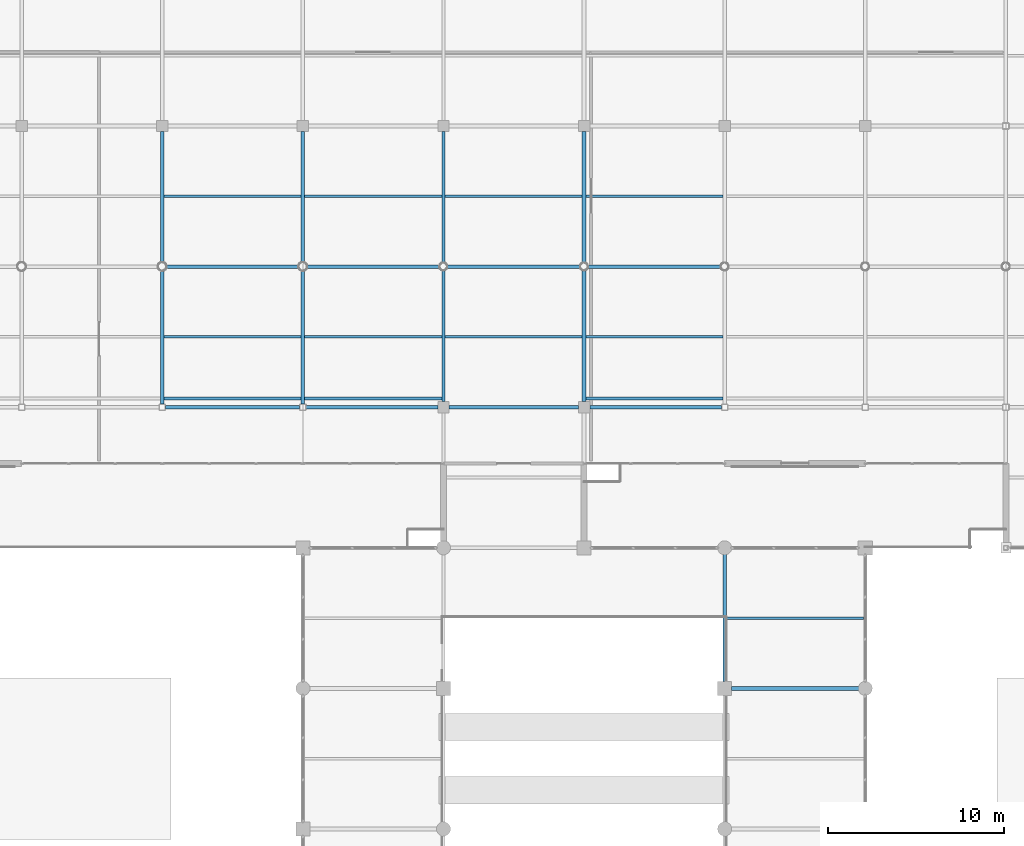
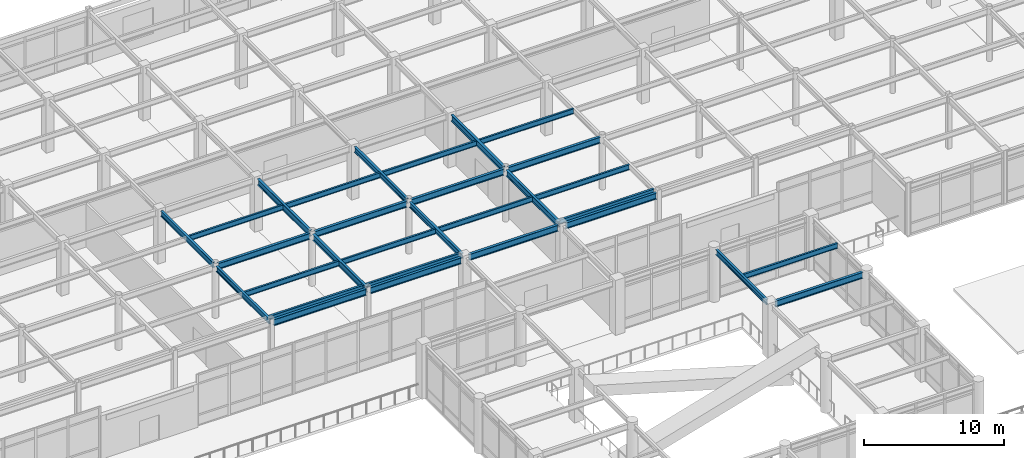
# One storey, part 55 of 117: 30 beams.
"""IFC4 building model written with IfcOpenShell, lengths in metres."""

from ifc_helpers import new_model, si_unit, direction, frame, origin, origin_2d, place, context, subcontext, project, spatial, i_section, extrude, material, material_profile, profile_set, type_object, element, save


model = new_model("IFC4")

# Units and contexts
model_context = context("Model", 3, precision=1e-05, world=origin(), true_north=direction((0.0, 1.0)))
body_context = subcontext(model_context, "Body", "Model", "MODEL_VIEW")
ifc_project = project(units=[si_unit("LENGTHUNIT", "METRE"), si_unit("AREAUNIT", "SQUARE_METRE"), si_unit("VOLUMEUNIT", "CUBIC_METRE"), si_unit("PLANEANGLEUNIT", "RADIAN"), si_unit("MASSUNIT", "GRAM", prefix="KILO")], contexts=[model_context])

# Site, building, storey
site_placement = place(None, origin())
site = spatial("IfcSite", under=ifc_project, at=site_placement, CompositionType="ELEMENT")
building_placement = place(site_placement, origin())
building = spatial("IfcBuilding", under=site, at=building_placement, Name="Solmirada Galleria", CompositionType="ELEMENT")
storey_placement = place(building_placement, frame((0.0, 0.0, 5.60009765625)))
storey = spatial("IfcBuildingStorey", under=building, at=storey_placement, Name="L01", CompositionType="ELEMENT", Elevation=5.60009765625)

# Beams
ifc_material = material(Name="Steel S355 / ASTM A992 Grade 50", Category="steel")
ifc_material_profile_1 = material_profile(ifc_material, i_section(OverallWidth=0.194091796875, OverallDepth=0.468994140625, WebThickness=0.0126953125, FlangeThickness=0.0205078125, FilletRadius=0.013916015625, at=origin_2d()), Name="W18X71")
ifc_profile_set_1 = profile_set([ifc_material_profile_1], Name="Steel S355 / ASTM A992 Grade 50")
beam_type_1 = type_object("IfcBeamType", Name="BM-GIRD-W18B", PredefinedType="BEAM", material=ifc_profile_set_1)
beam_1_placement = place(storey_placement, frame((72.0, 80.177978515625, 4.325439453125), z_axis=(0.0, 1.0, 0.0), x_axis=(-1.0, 0.0, 0.0)))
element("IfcBeam", 1, at=beam_1_placement, inside=storey, type_object=beam_type_1, Name="Primary girder L02 Y(72, 80..88)", PredefinedType="BEAM", context=body_context, shape_type="SweptSolid", body=[
    extrude(i_section(OverallWidth=0.194091796875, OverallDepth=0.468994140625, WebThickness=0.0126953125, FlangeThickness=0.0205078125, FilletRadius=0.013916015625, at=origin_2d()), origin(), (0.0, 0.0, 1.0), 7.608642578125),
])
beam_2_placement = place(storey_placement, frame((72.0, 88.21337890625, 4.365478515625), z_axis=(0.0, 1.0, 0.0), x_axis=(-1.0, 0.0, 0.0)))
element("IfcBeam", 2, at=beam_2_placement, inside=storey, type_object=beam_type_1, Name="Primary girder L02 Y(72, 88..96)", PredefinedType="BEAM", context=body_context, shape_type="SweptSolid", body=[
    extrude(i_section(OverallWidth=0.194091796875, OverallDepth=0.468994140625, WebThickness=0.0126953125, FlangeThickness=0.0205078125, FilletRadius=0.013916015625, at=origin_2d()), origin(), (0.0, 0.0, 1.0), 7.461669921875),
])
for number, where, z_axis, x_axis, name in (
    (3, (88.0, 80.324951171875, 4.325439453125), (0.0, 1.0, 0.0), (-1.0, 0.0, 0.0), "Primary girder L02 Y(88, 80..88)"),
    (4, (88.0, 88.19189453125, 4.365478515625), (0.0, 1.0, 0.0), (-1.0, 0.0, 0.0), "Primary girder L02 Y(88, 88..96)"),
):
    element("IfcBeam", number, at=place(storey_placement, frame(where, z_axis=z_axis, x_axis=x_axis)), inside=storey, type_object=beam_type_1, Name=name, PredefinedType="BEAM", context=body_context, shape_type="SweptSolid", body=[
        extrude(i_section(OverallWidth=0.194091796875, OverallDepth=0.468994140625, WebThickness=0.0126953125, FlangeThickness=0.0205078125, FilletRadius=0.013916015625, at=origin_2d()), origin(), (0.0, 0.0, 1.0), 7.483154296875),
    ])
beam_3_placement = place(storey_placement, frame((104.0, 64.39990234375, 4.365478515625), z_axis=(0.0, 1.0, 0.0), x_axis=(-1.0, 0.0, 0.0)))
element("IfcBeam", 5, at=beam_3_placement, inside=storey, type_object=beam_type_1, Name="Primary girder L02 Y(104, 64..72)", PredefinedType="BEAM", context=body_context, shape_type="SweptSolid", body=[
    extrude(i_section(OverallWidth=0.194091796875, OverallDepth=0.468994140625, WebThickness=0.0126953125, FlangeThickness=0.0205078125, FilletRadius=0.013916015625, at=origin_2d()), origin(), (0.0, 0.0, 1.0), 7.26416015625),
])
ifc_material_profile_2 = material_profile(ifc_material, i_section(OverallWidth=0.214111328125, OverallDepth=0.549072265625, WebThickness=0.0146484375, FlangeThickness=0.023681640625, FilletRadius=0.014892578125, at=origin_2d()), Name="W21X93")
ifc_profile_set_2 = profile_set([ifc_material_profile_2], Name="Steel S355 / ASTM A992 Grade 50")
beam_type_2 = type_object("IfcBeamType", Name="BM-GIRD-W21A", PredefinedType="BEAM", material=ifc_profile_set_2)
beam_4_placement = place(storey_placement, frame((72.177978515625, 80.0, 4.285400390625), z_axis=(1.0, 0.0, 0.0), x_axis=(0.0, 1.0, 0.0)))
element("IfcBeam", 6, at=beam_4_placement, inside=storey, type_object=beam_type_2, Name="Primary beam L02 X(72..80, 80)", PredefinedType="BEAM", context=body_context, shape_type="SweptSolid", body=[
    extrude(i_section(OverallWidth=0.214111328125, OverallDepth=0.549072265625, WebThickness=0.0146484375, FlangeThickness=0.023681640625, FilletRadius=0.014892578125, at=origin_2d()), origin(), (0.0, 0.0, 1.0), 7.64404296875),
])
beam_5_placement = place(storey_placement, frame((80.177978515625, 80.0, 4.285400390625), z_axis=(1.0, 0.0, 0.0), x_axis=(0.0, 1.0, 0.0)))
element("IfcBeam", 7, at=beam_5_placement, inside=storey, type_object=beam_type_2, Name="Primary beam L02 X(80..88, 80)", PredefinedType="BEAM", context=body_context, shape_type="SweptSolid", body=[
    extrude(i_section(OverallWidth=0.214111328125, OverallDepth=0.549072265625, WebThickness=0.0146484375, FlangeThickness=0.023681640625, FilletRadius=0.014892578125, at=origin_2d()), origin(), (0.0, 0.0, 1.0), 7.4970703125),
])
beam_6_placement = place(storey_placement, frame((88.324951171875, 80.0, 4.325439453125), z_axis=(1.0, 0.0, 0.0), x_axis=(0.0, 1.0, 0.0)))
element("IfcBeam", 8, at=beam_6_placement, inside=storey, type_object=beam_type_2, Name="Primary beam L02 X(88..96, 80)", PredefinedType="BEAM", context=body_context, shape_type="SweptSolid", body=[
    extrude(i_section(OverallWidth=0.214111328125, OverallDepth=0.549072265625, WebThickness=0.0146484375, FlangeThickness=0.023681640625, FilletRadius=0.014892578125, at=origin_2d()), origin(), (0.0, 0.0, 1.0), 7.35009765625),
])
beam_7_placement = place(storey_placement, frame((96.324951171875, 80.0, 4.285400390625), z_axis=(1.0, 0.0, 0.0), x_axis=(0.0, 1.0, 0.0)))
element("IfcBeam", 9, at=beam_7_placement, inside=storey, type_object=beam_type_2, Name="Primary beam L02 X(96..104, 80)", PredefinedType="BEAM", context=body_context, shape_type="SweptSolid", body=[
    extrude(i_section(OverallWidth=0.214111328125, OverallDepth=0.549072265625, WebThickness=0.0146484375, FlangeThickness=0.023681640625, FilletRadius=0.014892578125, at=origin_2d()), origin(), (0.0, 0.0, 1.0), 7.4970703125),
])
beam_8_placement = place(storey_placement, frame((104.39990234375, 64.0, 4.325439453125), z_axis=(1.0, 0.0, 0.0), x_axis=(0.0, 1.0, 0.0)))
element("IfcBeam", 10, at=beam_8_placement, inside=storey, type_object=beam_type_2, Name="Primary beam L02 X(104..112, 64)", PredefinedType="BEAM", context=body_context, shape_type="SweptSolid", body=[
    extrude(i_section(OverallWidth=0.214111328125, OverallDepth=0.549072265625, WebThickness=0.0146484375, FlangeThickness=0.023681640625, FilletRadius=0.014892578125, at=origin_2d()), origin(), (0.0, 0.0, 1.0), 7.26416015625),
])
ifc_material_profile_3 = material_profile(ifc_material, i_section(OverallWidth=0.2099609375, OverallDepth=0.537109375, WebThickness=0.010986328125, FlangeThickness=0.017333984375, FilletRadius=0.014892578125, at=origin_2d()), Name="W21X68")
ifc_profile_set_3 = profile_set([ifc_material_profile_3], Name="Steel S355 / ASTM A992 Grade 50")
beam_type_3 = type_object("IfcBeamType", Name="BM-GIRD-W21B", PredefinedType="BEAM", material=ifc_profile_set_3)
beam_9_placement = place(storey_placement, frame((72.21337890625, 88.0, 4.331298828125), z_axis=(1.0, 0.0, 0.0), x_axis=(0.0, 1.0, 0.0)))
element("IfcBeam", 11, at=beam_9_placement, inside=storey, type_object=beam_type_3, Name="Primary beam L02 X(72..80, 88)", PredefinedType="BEAM", context=body_context, shape_type="SweptSolid", body=[
    extrude(i_section(OverallWidth=0.2099609375, OverallDepth=0.537109375, WebThickness=0.010986328125, FlangeThickness=0.017333984375, FilletRadius=0.014892578125, at=origin_2d()), origin(), (0.0, 0.0, 1.0), 7.5732421875),
])
beam_10_placement = place(storey_placement, frame((80.21337890625, 88.0, 4.331298828125), z_axis=(1.0, 0.0, 0.0), x_axis=(0.0, 1.0, 0.0)))
element("IfcBeam", 12, at=beam_10_placement, inside=storey, type_object=beam_type_3, Name="Primary beam L02 X(80..88, 88)", PredefinedType="BEAM", context=body_context, shape_type="SweptSolid", body=[
    extrude(i_section(OverallWidth=0.2099609375, OverallDepth=0.537109375, WebThickness=0.010986328125, FlangeThickness=0.017333984375, FilletRadius=0.014892578125, at=origin_2d()), origin(), (0.0, 0.0, 1.0), 7.5947265625),
])
for number, where, z_axis, x_axis, name in (
    (13, (88.19189453125, 88.0, 4.331298828125), (1.0, 0.0, 0.0), (0.0, 1.0, 0.0), "Primary beam L02 X(88..96, 88)"),
    (14, (96.19189453125, 88.0, 4.331298828125), (1.0, 0.0, 0.0), (0.0, 1.0, 0.0), "Primary beam L02 X(96..104, 88)"),
):
    element("IfcBeam", number, at=place(storey_placement, frame(where, z_axis=z_axis, x_axis=x_axis)), inside=storey, type_object=beam_type_3, Name=name, PredefinedType="BEAM", context=body_context, shape_type="SweptSolid", body=[
        extrude(i_section(OverallWidth=0.2099609375, OverallDepth=0.537109375, WebThickness=0.010986328125, FlangeThickness=0.017333984375, FilletRadius=0.014892578125, at=origin_2d()), origin(), (0.0, 0.0, 1.0), 7.6162109375),
    ])
beam_11_placement = place(storey_placement, frame((80.0, 80.177978515625, 4.29150390625), z_axis=(0.0, 1.0, 0.0), x_axis=(-1.0, 0.0, 0.0)))
element("IfcBeam", 15, at=beam_11_placement, inside=storey, type_object=beam_type_3, Name="Primary girder L02 Y(80, 80..88)", PredefinedType="BEAM", context=body_context, shape_type="SweptSolid", body=[
    extrude(i_section(OverallWidth=0.2099609375, OverallDepth=0.537109375, WebThickness=0.010986328125, FlangeThickness=0.017333984375, FilletRadius=0.014892578125, at=origin_2d()), origin(), (0.0, 0.0, 1.0), 7.608642578125),
])
beam_12_placement = place(storey_placement, frame((80.0, 88.21337890625, 4.331298828125), z_axis=(0.0, 1.0, 0.0), x_axis=(-1.0, 0.0, 0.0)))
element("IfcBeam", 16, at=beam_12_placement, inside=storey, type_object=beam_type_3, Name="Primary girder L02 Y(80, 88..96)", PredefinedType="BEAM", context=body_context, shape_type="SweptSolid", body=[
    extrude(i_section(OverallWidth=0.2099609375, OverallDepth=0.537109375, WebThickness=0.010986328125, FlangeThickness=0.017333984375, FilletRadius=0.014892578125, at=origin_2d()), origin(), (0.0, 0.0, 1.0), 7.461669921875),
])
for number, where, z_axis, x_axis, name in (
    (17, (96.0, 80.324951171875, 4.29150390625), (0.0, 1.0, 0.0), (-1.0, 0.0, 0.0), "Primary girder L02 Y(96, 80..88)"),
    (18, (96.0, 88.19189453125, 4.331298828125), (0.0, 1.0, 0.0), (-1.0, 0.0, 0.0), "Primary girder L02 Y(96, 88..96)"),
):
    element("IfcBeam", number, at=place(storey_placement, frame(where, z_axis=z_axis, x_axis=x_axis)), inside=storey, type_object=beam_type_3, Name=name, PredefinedType="BEAM", context=body_context, shape_type="SweptSolid", body=[
        extrude(i_section(OverallWidth=0.2099609375, OverallDepth=0.537109375, WebThickness=0.010986328125, FlangeThickness=0.017333984375, FilletRadius=0.014892578125, at=origin_2d()), origin(), (0.0, 0.0, 1.0), 7.483154296875),
    ])
ifc_material_profile_4 = material_profile(ifc_material, i_section(OverallWidth=0.1708984375, OverallDepth=0.35205078125, WebThickness=0.0068359375, FlangeThickness=0.009765625, FilletRadius=0.010986328125, at=origin_2d()), Name="W14X30")
ifc_profile_set_4 = profile_set([ifc_material_profile_4], Name="Steel S355 / ASTM A992 Grade 50")
beam_type_4 = type_object("IfcBeamType", Name="BM-JST-W14B", PredefinedType="JOIST", material=ifc_profile_set_4)
for number, where, z_axis, x_axis, name in (
    (19, (72.096923828125, 80.5, 4.3837890625), (1.0, 0.0, 0.0), (0.0, 1.0, 0.0), "Terrace deck joist L02-TERR-NW X=72..80 (2)"),
    (20, (80.10498046875, 80.5, 4.3837890625), (1.0, 0.0, 0.0), (0.0, 1.0, 0.0), "Terrace deck joist L02-TERR-NW X=80..88 (2)"),
    (21, (96.10498046875, 80.5, 4.3837890625), (1.0, 0.0, 0.0), (0.0, 1.0, 0.0), "Terrace deck joist L02-TERR-NE X=96..104 (2)"),
):
    element("IfcBeam", number, at=place(storey_placement, frame(where, z_axis=z_axis, x_axis=x_axis)), inside=storey, type_object=beam_type_4, Name=name, PredefinedType="JOIST", context=body_context, shape_type="SweptSolid", body=[
        extrude(i_section(OverallWidth=0.1708984375, OverallDepth=0.35205078125, WebThickness=0.0068359375, FlangeThickness=0.009765625, FilletRadius=0.010986328125, at=origin_2d()), origin(), (0.0, 0.0, 1.0), 7.798095703125),
    ])
ifc_material_profile_5 = material_profile(ifc_material, i_section(OverallWidth=0.152099609375, OverallDepth=0.449951171875, WebThickness=0.007568359375, FlangeThickness=0.0107421875, FilletRadius=0.011962890625, at=origin_2d()), Name="W18X35")
ifc_profile_set_5 = profile_set([ifc_material_profile_5], Name="Steel S355 / ASTM A992 Grade 50")
beam_type_5 = type_object("IfcBeamType", Name="BM-JST-W18B", PredefinedType="JOIST", material=ifc_profile_set_5)
for number, where, z_axis, x_axis, name in (
    (22, (72.096923828125, 84.0, 4.3349609375), (1.0, 0.0, 0.0), (0.0, 1.0, 0.0), "Composite floor joist L02 (72..80, 84.0)"),
    (23, (72.096923828125, 92.0, 4.375), (1.0, 0.0, 0.0), (0.0, 1.0, 0.0), "Composite floor joist L02 (72..80, 92.0)"),
    (24, (80.10498046875, 84.0, 4.3349609375), (1.0, 0.0, 0.0), (0.0, 1.0, 0.0), "Composite floor joist L02 (80..88, 84.0)"),
    (25, (80.10498046875, 92.0, 4.375), (1.0, 0.0, 0.0), (0.0, 1.0, 0.0), "Composite floor joist L02 (80..88, 92.0)"),
    (26, (88.096923828125, 84.0, 4.3349609375), (1.0, 0.0, 0.0), (0.0, 1.0, 0.0), "Composite floor joist L02 (88..96, 84.0)"),
    (27, (88.096923828125, 92.0, 4.375), (1.0, 0.0, 0.0), (0.0, 1.0, 0.0), "Composite floor joist L02 (88..96, 92.0)"),
    (28, (96.10498046875, 84.0, 4.3349609375), (1.0, 0.0, 0.0), (0.0, 1.0, 0.0), "Composite floor joist L02 (96..104, 84.0)"),
    (29, (96.10498046875, 92.0, 4.375), (1.0, 0.0, 0.0), (0.0, 1.0, 0.0), "Composite floor joist L02 (96..104, 92.0)"),
    (30, (104.096923828125, 68.0, 4.375), (1.0, 0.0, 0.0), (0.0, 1.0, 0.0), "Composite floor joist L02 (104..112, 68.0)"),
):
    element("IfcBeam", number, at=place(storey_placement, frame(where, z_axis=z_axis, x_axis=x_axis)), inside=storey, type_object=beam_type_5, Name=name, PredefinedType="JOIST", context=body_context, shape_type="SweptSolid", body=[
        extrude(i_section(OverallWidth=0.152099609375, OverallDepth=0.449951171875, WebThickness=0.007568359375, FlangeThickness=0.0107421875, FilletRadius=0.011962890625, at=origin_2d()), origin(), (0.0, 0.0, 1.0), 7.798095703125),
    ])

save(model, "model.ifc")
